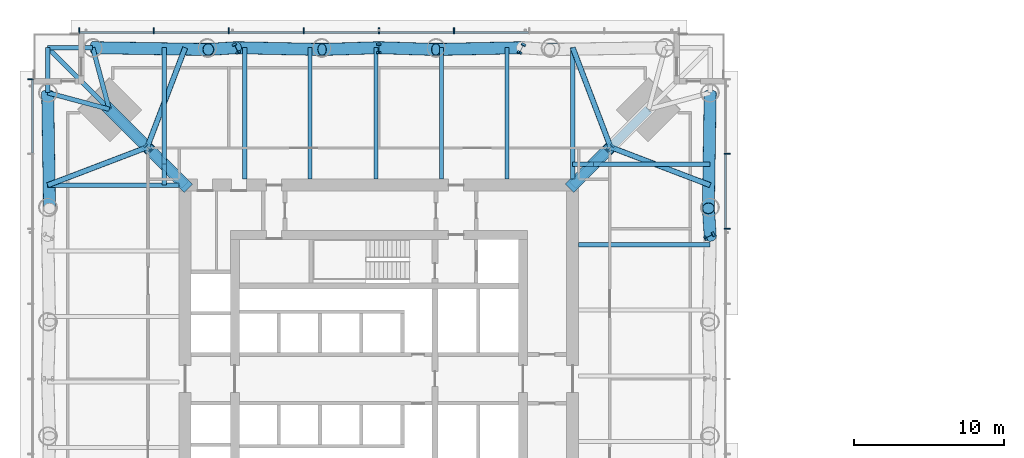
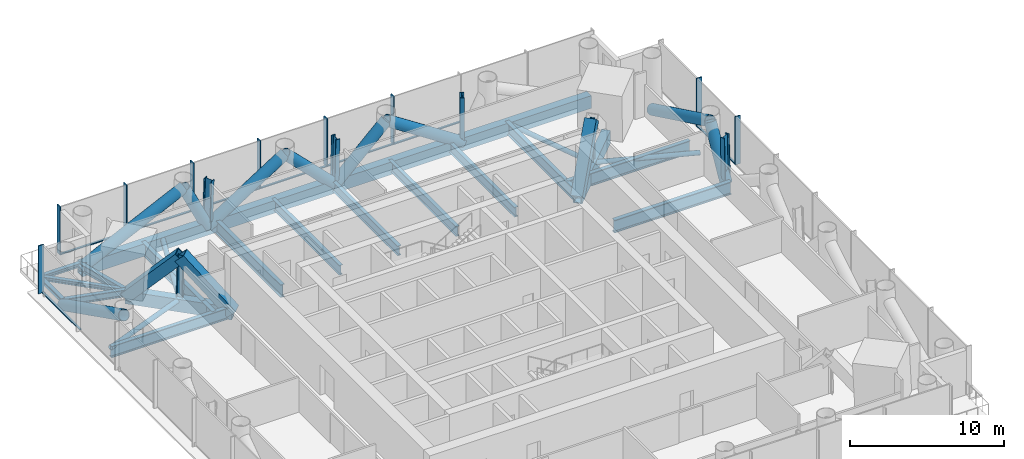
# One storey, part 4 of 28: 42 members, 17 beams, 3 elements without a shape of their own.
"""IFC4 building model written with IfcOpenShell, lengths in metres."""

from ifc_helpers import new_model, si_unit, direction, frame, origin, origin_2d, place, context, subcontext, project, spatial, rectangle, hollow_rectangle, hollow_circle, i_section, extrude, material, material_profile, profile_set, type_object, element, aggregate, save


model = new_model("IFC4")

# Units and contexts
model_context = context("Model", 3, precision=1e-05, world=origin(), true_north=direction((0.0, 1.0)))
body_context = subcontext(model_context, "Body", "Model", "MODEL_VIEW")
ifc_project = project(units=[si_unit("LENGTHUNIT", "METRE"), si_unit("AREAUNIT", "SQUARE_METRE"), si_unit("VOLUMEUNIT", "CUBIC_METRE"), si_unit("PLANEANGLEUNIT", "RADIAN"), si_unit("MASSUNIT", "GRAM", prefix="KILO")], contexts=[model_context])

# Site, building, storey
site_placement = place(None, origin())
site = spatial("IfcSite", under=ifc_project, at=site_placement, CompositionType="ELEMENT")
building_placement = place(site_placement, origin())
building = spatial("IfcBuilding", under=site, at=building_placement, Name="Ostroluk Exchange", CompositionType="ELEMENT")
storey_placement = place(building_placement, frame((0.0, 0.0, 81.800048828125)))
storey = spatial("IfcBuildingStorey", under=building, at=storey_placement, Name="L20", CompositionType="ELEMENT", Elevation=81.800048828125)

# Beams
ifc_material_1 = material(Name="Steel S355", Category="steel")
ifc_material_profile_1 = material_profile(ifc_material_1, i_section(OverallWidth=0.300048828125, OverallDepth=0.300048828125, WebThickness=0.010986328125, FlangeThickness=0.01904296875, FilletRadius=0.027099609375, at=origin_2d()), Name="HEB 300")
ifc_profile_set_1 = profile_set([ifc_material_profile_1], Name="Steel S355")
beam_type_1 = type_object("IfcBeamType", Name="Balcony beam HEB 300", PredefinedType="BEAM", material=ifc_profile_set_1)
for number, where, z_axis, x_axis, name in (
    (1, (25.94287109375, 68.05712890625, -0.429931640625), (-1.0, 0.0, 0.0), (0.0, -1.0, 0.0), "T1 north balcony beam a"),
    (2, (22.94287109375, 65.05712890625, -0.429931640625), (0.0, 1.0, 0.0), (-1.0, 0.0, 0.0), "T1 north balcony beam b"),
):
    element("IfcBeam", number, at=place(storey_placement, frame(where, z_axis=z_axis, x_axis=x_axis)), inside=storey, type_object=beam_type_1, Name=name, PredefinedType="BEAM", context=body_context, shape_type="SweptSolid", body=[
        extrude(i_section(OverallWidth=0.300048828125, OverallDepth=0.300048828125, WebThickness=0.010986328125, FlangeThickness=0.01904296875, FilletRadius=0.027099609375, at=origin_2d()), origin(), (0.0, 0.0, 1.0), 3.0),
    ])
beam_1_placement = place(storey_placement, frame((27.04296875, 63.95703125, -0.429931640625), z_axis=(-0.707106781187, 0.707106781187, 0.0), x_axis=(-0.707106781187, -0.707106781187, 0.0)))
element("IfcBeam", 3, at=beam_1_placement, inside=storey, type_object=beam_type_1, Name="T1 north balcony beam c", PredefinedType="BEAM", context=body_context, shape_type="SweptSolid", body=[
    extrude(i_section(OverallWidth=0.300048828125, OverallDepth=0.300048828125, WebThickness=0.010986328125, FlangeThickness=0.01904296875, FilletRadius=0.027099609375, at=origin_2d()), origin(), (0.0, 0.0, 1.0), 5.79833984375),
])

# Members
ifc_material_2 = material(Name="Steel S460", Category="steel")
ifc_material_profile_2 = material_profile(ifc_material_2, hollow_rectangle(XDim=0.60009765625, YDim=1.0, WallThickness=0.06005859375, at=origin_2d()), Name="BOX 600x1000x60")
ifc_profile_set_2 = profile_set([ifc_material_profile_2], Name="Steel S460")
member_type_1 = type_object("IfcMemberType", Name="Belt truss chord BOX 600x1000x60", PredefinedType="CHORD", material=ifc_profile_set_2)
member_1_placement = place(storey_placement, frame((64.05712890625, 68.05712890625, -0.780029296875), z_axis=(-1.0, 0.0, 0.0), x_axis=(0.0, -1.0, 0.0)))
element("IfcMember", 4, at=member_1_placement, inside=storey, type_object=member_type_1, Name="Belt truss 1 north chord 1", PredefinedType="CHORD", context=body_context, shape_type="SweptSolid", body=[
    extrude(hollow_rectangle(XDim=0.60009765625, YDim=1.0, WallThickness=0.06005859375, at=origin_2d()), origin(), (0.0, 0.0, 1.0), 38.1142578125),
])
ifc_material_3 = material(Name="Steel S460", Category="steel")
ifc_material_profile_3 = material_profile(ifc_material_3, hollow_circle(Radius=0.406494140625, WallThickness=0.030029296875, at=origin_2d()), Name="CHS 813x30")
ifc_profile_set_3 = profile_set([ifc_material_profile_3], Name="Steel S460")
member_type_2 = type_object("IfcMemberType", Name="Belt truss diagonal CHS 813x30", PredefinedType="BRACE", material=ifc_profile_set_3)
member_2_placement = place(storey_placement, frame((67.05712890625, 55.528564453125, -0.780029296875), z_axis=(-0.028748440767, 0.434234496648, 0.900341007104), x_axis=(-0.997815635309, -0.066060259857, 0.0)))
element("IfcMember", 5, at=member_2_placement, inside=storey, type_object=member_type_2, Name="Belt truss 1 east diagonal 1.7", PredefinedType="BRACE", context=body_context, shape_type="SweptSolid", body=[
    extrude(hollow_circle(Radius=0.406494140625, WallThickness=0.030029296875, at=origin_2d()), origin(), (0.0, 0.0, 1.0), 4.220703125),
])
member_3_placement = place(storey_placement, frame((67.05712890625, 65.05712890625, -0.780029296875), z_axis=(-0.014135797811, -0.896556576647, 0.442703607497), x_axis=(0.999875727713, -0.015764806696, 0.0)))
element("IfcMember", 6, at=member_3_placement, inside=storey, type_object=member_type_2, Name="Belt truss 1 east diagonal 1.8", PredefinedType="BRACE", context=body_context, shape_type="SweptSolid", body=[
    extrude(hollow_circle(Radius=0.406494140625, WallThickness=0.030029296875, at=origin_2d()), origin(), (0.0, 0.0, 1.0), 8.583740234375),
])
member_4_placement = place(storey_placement, frame((54.528564453125, 68.05712890625, -0.780029296875), z_axis=(-0.833765541163, -0.017620507461, 0.551837421789), x_axis=(0.021128930108, -0.999776759238, 0.0)))
element("IfcMember", 7, at=member_4_placement, inside=storey, type_object=member_type_2, Name="Belt truss 1 north diagonal 1.3", PredefinedType="BRACE", context=body_context, shape_type="SweptSolid", body=[
    extrude(hollow_circle(Radius=0.406494140625, WallThickness=0.030029296875, at=origin_2d()), origin(), (0.0, 0.0, 1.0), 6.88623046875),
])
for number, where, z_axis, x_axis, name in (
    (8, (45.0, 68.05712890625, -0.780029296875), (0.705719353494, -0.022611044268, 0.708130591615), (0.03202327877, 0.999487123287, 0.0), "Belt truss 1 north diagonal 1.4"),
    (9, (45.0, 68.05712890625, -0.780029296875), (-0.705719353494, -0.022611044268, 0.708130591615), (0.03202327877, -0.999487123287, 0.0), "Belt truss 1 north diagonal 1.5"),
):
    element("IfcMember", number, at=place(storey_placement, frame(where, z_axis=z_axis, x_axis=x_axis)), inside=storey, type_object=member_type_2, Name=name, PredefinedType="BRACE", context=body_context, shape_type="SweptSolid", body=[
        extrude(hollow_circle(Radius=0.406494140625, WallThickness=0.030029296875, at=origin_2d()), origin(), (0.0, 0.0, 1.0), 5.3662109375),
    ])
member_5_placement = place(storey_placement, frame((35.471435546875, 68.05712890625, -0.780029296875), z_axis=(0.833765541163, -0.017620507461, 0.551837421789), x_axis=(0.021128930108, 0.999776759238, 0.0)))
element("IfcMember", 10, at=member_5_placement, inside=storey, type_object=member_type_2, Name="Belt truss 1 north diagonal 1.6", PredefinedType="BRACE", context=body_context, shape_type="SweptSolid", body=[
    extrude(hollow_circle(Radius=0.406494140625, WallThickness=0.030029296875, at=origin_2d()), origin(), (0.0, 0.0, 1.0), 6.88623046875),
])
member_6_placement = place(storey_placement, frame((35.471435546875, 68.05712890625, -0.780029296875), z_axis=(-0.434234496648, -0.028748440767, 0.900341007104), x_axis=(0.066060259857, -0.997815635309, 0.0)))
element("IfcMember", 11, at=member_6_placement, inside=storey, type_object=member_type_2, Name="Belt truss 1 north diagonal 1.7", PredefinedType="BRACE", context=body_context, shape_type="SweptSolid", body=[
    extrude(hollow_circle(Radius=0.406494140625, WallThickness=0.030029296875, at=origin_2d()), origin(), (0.0, 0.0, 1.0), 4.220703125),
])
for number, where, z_axis, x_axis, name in (
    (12, (25.94287109375, 68.05712890625, -0.780029296875), (0.896556576647, -0.014135797811, 0.442703607497), (0.015764806696, 0.999875727713, 0.0), "Belt truss 1 north diagonal 1.8"),
    (13, (22.94287109375, 65.05712890625, -0.780029296875), (0.014135797811, -0.896556576647, 0.442703607497), (0.999875727713, 0.015764806696, 0.0), "Belt truss 1 west diagonal 1.1"),
):
    element("IfcMember", number, at=place(storey_placement, frame(where, z_axis=z_axis, x_axis=x_axis)), inside=storey, type_object=member_type_2, Name=name, PredefinedType="BRACE", context=body_context, shape_type="SweptSolid", body=[
        extrude(hollow_circle(Radius=0.406494140625, WallThickness=0.030029296875, at=origin_2d()), origin(), (0.0, 0.0, 1.0), 8.583740234375),
    ])
ifc_material_4 = material(Name="Steel S460", Category="steel")
ifc_material_profile_4 = material_profile(ifc_material_4, i_section(OverallWidth=0.304931640625, OverallDepth=0.6201171875, WebThickness=0.02099609375, FlangeThickness=0.0400390625, FilletRadius=0.027099609375, at=origin_2d()), Name="HEM 600")
ifc_profile_set_4 = profile_set([ifc_material_profile_4], Name="Steel S460")
member_type_3 = type_object("IfcMemberType", Name="Belt truss post HEM 600", PredefinedType="POST", material=ifc_profile_set_4)
for number, where, z_axis, x_axis, name in (
    (14, (67.05712890625, 55.528564453125, -0.780029296875), (-0.031910269556, -0.015987237665, 0.999362868496), (0.447933021895, -0.894067115991, 0.0), "Belt truss 1 east post 1.6"),
    (15, (54.528564453125, 68.05712890625, -0.780029296875), (-0.015987237665, -0.031910269556, 0.999362868496), (0.894067115991, -0.447933021895, 0.0), "Belt truss 1 north post 1.2"),
):
    element("IfcMember", number, at=place(storey_placement, frame(where, z_axis=z_axis, x_axis=x_axis)), inside=storey, type_object=member_type_3, Name=name, PredefinedType="POST", context=body_context, shape_type="SweptSolid", body=[
        extrude(i_section(OverallWidth=0.304931640625, OverallDepth=0.6201171875, WebThickness=0.02099609375, FlangeThickness=0.0400390625, FilletRadius=0.027099609375, at=origin_2d()), origin(), (0.0, 0.0, 1.0), 3.802490234375),
    ])
member_7_placement = place(storey_placement, frame((45.0, 68.05712890625, -0.780029296875), z_axis=(0.0, -0.031914348339, 0.999490607445), x_axis=(1.0, 0.0, 0.0)))
element("IfcMember", 16, at=member_7_placement, inside=storey, type_object=member_type_3, Name="Belt truss 1 north post 1.4", PredefinedType="POST", context=body_context, shape_type="SweptSolid", body=[
    extrude(i_section(OverallWidth=0.304931640625, OverallDepth=0.6201171875, WebThickness=0.02099609375, FlangeThickness=0.0400390625, FilletRadius=0.027099609375, at=origin_2d()), origin(), (0.0, 0.0, 1.0), 3.802001953125),
])
member_8_placement = place(storey_placement, frame((35.471435546875, 68.05712890625, -0.780029296875), z_axis=(0.015987237665, -0.031910269556, 0.999362868496), x_axis=(0.894067115991, 0.447933021895, 0.0)))
element("IfcMember", 17, at=member_8_placement, inside=storey, type_object=member_type_3, Name="Belt truss 1 north post 1.6", PredefinedType="POST", context=body_context, shape_type="SweptSolid", body=[
    extrude(i_section(OverallWidth=0.304931640625, OverallDepth=0.6201171875, WebThickness=0.02099609375, FlangeThickness=0.0400390625, FilletRadius=0.027099609375, at=origin_2d()), origin(), (0.0, 0.0, 1.0), 3.802490234375),
])

# Beams
ifc_material_5 = material(Name="Steel S355", Category="steel")
ifc_material_profile_5 = material_profile(ifc_material_5, i_section(OverallWidth=0.300048828125, OverallDepth=0.550048828125, WebThickness=0.014892578125, FlangeThickness=0.029052734375, FilletRadius=0.027099609375, at=origin_2d()), Name="HEB 550")
ifc_profile_set_5 = profile_set([ifc_material_profile_5], Name="Steel S355")
beam_type_2 = type_object("IfcBeamType", Name="Corner edge beam HEB 550", PredefinedType="SPANDREL", material=ifc_profile_set_5)
for number, where, z_axis, x_axis, name in (
    (18, (27.04296875, 63.95703125, -0.554931640625), (-0.259144268261, 0.965838624319, 0.0), (-0.965838624319, -0.259144268261, 0.0), "T1 north corner edge beam a"),
    (19, (27.04296875, 63.95703125, -0.554931640625), (-0.965838624319, 0.259144268261, 0.0), (-0.259144268261, -0.965838624319, 0.0), "T1 north corner edge beam b"),
):
    element("IfcBeam", number, at=place(storey_placement, frame(where, z_axis=z_axis, x_axis=x_axis)), inside=storey, type_object=beam_type_2, Name=name, PredefinedType="SPANDREL", context=body_context, shape_type="SweptSolid", body=[
        extrude(i_section(OverallWidth=0.300048828125, OverallDepth=0.550048828125, WebThickness=0.014892578125, FlangeThickness=0.029052734375, FilletRadius=0.027099609375, at=origin_2d()), origin(), (0.0, 0.0, 1.0), 4.2451171875),
    ])
ifc_material_6 = material(Name="Steel S355", Category="steel")
ifc_material_profile_6 = material_profile(ifc_material_6, i_section(OverallWidth=0.302001953125, OverallDepth=1.008056640625, WebThickness=0.02099609375, FlangeThickness=0.0400390625, FilletRadius=0.030029296875, at=origin_2d()), Name="HEM 1000")
ifc_profile_set_6 = profile_set([ifc_material_profile_6], Name="Steel S355")
beam_type_3 = type_object("IfcBeamType", Name="Floor beam HEM 1000", PredefinedType="BEAM", material=ifc_profile_set_6)
beam_2_placement = place(storey_placement, frame((58.300048828125, 54.9482421875, -0.783935546875), z_axis=(1.0, 0.0, 0.0), x_axis=(0.0, 1.0, 0.0)))
element("IfcBeam", 20, at=beam_2_placement, inside=storey, type_object=beam_type_3, Name="T1 east floor beam 5", PredefinedType="BEAM", context=body_context, shape_type="SweptSolid", body=[
    extrude(i_section(OverallWidth=0.302001953125, OverallDepth=1.008056640625, WebThickness=0.02099609375, FlangeThickness=0.0400390625, FilletRadius=0.030029296875, at=origin_2d()), origin(), (0.0, 0.0, 1.0), 8.757080078125),
])
beam_3_placement = place(storey_placement, frame((57.89990234375, 60.300048828125, -0.783935546875), z_axis=(1.0, 0.0, 0.0), x_axis=(0.0, 1.0, 0.0)))
element("IfcBeam", 21, at=beam_3_placement, inside=storey, type_object=beam_type_3, Name="T1 east floor beam 6", PredefinedType="BEAM", context=body_context, shape_type="SweptSolid", body=[
    extrude(i_section(OverallWidth=0.302001953125, OverallDepth=1.008056640625, WebThickness=0.02099609375, FlangeThickness=0.0400390625, FilletRadius=0.030029296875, at=origin_2d()), origin(), (0.0, 0.0, 1.0), 1.400146484375),
])
beam_4_placement = place(storey_placement, frame((59.300048828125, 60.300048828125, -0.783935546875), z_axis=(1.0, 0.0, 0.0), x_axis=(0.0, 1.0, 0.0)))
element("IfcBeam", 22, at=beam_4_placement, inside=storey, type_object=beam_type_3, Name="T1 east floor beam 6", PredefinedType="BEAM", context=body_context, shape_type="SweptSolid", body=[
    extrude(i_section(OverallWidth=0.302001953125, OverallDepth=1.008056640625, WebThickness=0.02099609375, FlangeThickness=0.0400390625, FilletRadius=0.030029296875, at=origin_2d()), origin(), (0.0, 0.0, 1.0), 7.757080078125),
])
beam_5_placement = place(storey_placement, frame((36.0517578125, 59.300048828125, -0.783935546875), z_axis=(0.0, 1.0, 0.0), x_axis=(-1.0, 0.0, 0.0)))
element("IfcBeam", 23, at=beam_5_placement, inside=storey, type_object=beam_type_3, Name="T1 north floor beam 5", PredefinedType="BEAM", context=body_context, shape_type="SweptSolid", body=[
    extrude(i_section(OverallWidth=0.302001953125, OverallDepth=1.008056640625, WebThickness=0.02099609375, FlangeThickness=0.0400390625, FilletRadius=0.030029296875, at=origin_2d()), origin(), (0.0, 0.0, 1.0), 8.757080078125),
])
beam_6_placement = place(storey_placement, frame((30.699951171875, 58.89990234375, -0.783935546875), z_axis=(0.0, 1.0, 0.0), x_axis=(-1.0, 0.0, 0.0)))
element("IfcBeam", 24, at=beam_6_placement, inside=storey, type_object=beam_type_3, Name="T1 north floor beam 6", PredefinedType="BEAM", context=body_context, shape_type="SweptSolid", body=[
    extrude(i_section(OverallWidth=0.302001953125, OverallDepth=1.008056640625, WebThickness=0.02099609375, FlangeThickness=0.0400390625, FilletRadius=0.030029296875, at=origin_2d()), origin(), (0.0, 0.0, 1.0), 1.400146484375),
])
beam_7_placement = place(storey_placement, frame((30.699951171875, 60.300048828125, -0.783935546875), z_axis=(0.0, 1.0, 0.0), x_axis=(-1.0, 0.0, 0.0)))
element("IfcBeam", 25, at=beam_7_placement, inside=storey, type_object=beam_type_3, Name="T1 north floor beam 6", PredefinedType="BEAM", context=body_context, shape_type="SweptSolid", body=[
    extrude(i_section(OverallWidth=0.302001953125, OverallDepth=1.008056640625, WebThickness=0.02099609375, FlangeThickness=0.0400390625, FilletRadius=0.030029296875, at=origin_2d()), origin(), (0.0, 0.0, 1.0), 7.757080078125),
])
ifc_material_7 = material(Name="Steel S355", Category="steel")
ifc_material_profile_7 = material_profile(ifc_material_7, i_section(OverallWidth=0.26806640625, OverallDepth=0.77001953125, WebThickness=0.015625, FlangeThickness=0.025390625, FilletRadius=0.01708984375, at=origin_2d()), Name="IPE 750x196")
ifc_profile_set_7 = profile_set([ifc_material_profile_7], Name="Steel S355")
beam_type_4 = type_object("IfcBeamType", Name="Floor beam IPE 750x196", PredefinedType="BEAM", material=ifc_profile_set_7)
for number, where, z_axis, x_axis, name in (
    (26, (53.5302734375, 59.300048828125, -0.6650390625), (0.0, 1.0, 0.0), (-1.0, 0.0, 0.0), "T1 north floor beam 1"),
    (27, (49.16064453125, 59.300048828125, -0.6650390625), (0.0, 1.0, 0.0), (-1.0, 0.0, 0.0), "T1 north floor beam 2"),
    (28, (44.791015625, 59.300048828125, -0.6650390625), (0.0, 1.0, 0.0), (-1.0, 0.0, 0.0), "T1 north floor beam 3"),
    (29, (40.42138671875, 59.300048828125, -0.6650390625), (0.0, 1.0, 0.0), (-1.0, 0.0, 0.0), "T1 north floor beam 4"),
):
    element("IfcBeam", number, at=place(storey_placement, frame(where, z_axis=z_axis, x_axis=x_axis)), inside=storey, type_object=beam_type_4, Name=name, PredefinedType="BEAM", context=body_context, shape_type="SweptSolid", body=[
        extrude(i_section(OverallWidth=0.26806640625, OverallDepth=0.77001953125, WebThickness=0.015625, FlangeThickness=0.025390625, FilletRadius=0.01708984375, at=origin_2d()), origin(), (0.0, 0.0, 1.0), 8.757080078125),
    ])
ifc_material_8 = material(Name="Steel S355", Category="steel")
ifc_material_profile_8 = material_profile(ifc_material_8, i_section(OverallWidth=0.300048828125, OverallDepth=0.89990234375, WebThickness=0.0185546875, FlangeThickness=0.034912109375, FilletRadius=0.030029296875, at=origin_2d()), Name="HEB 900")
ifc_profile_set_8 = profile_set([ifc_material_profile_8], Name="Steel S355")
beam_type_5 = type_object("IfcBeamType", Name="Girder HEB 900", PredefinedType="BEAM", material=ifc_profile_set_8)
for number, where, z_axis, x_axis, name in (
    (30, (57.89990234375, 59.300048828125, -0.72998046875), (0.0, 1.0, 0.0), (-1.0, 0.0, 0.0), "T1 east girder"),
    (31, (31.699951171875, 58.89990234375, -0.72998046875), (-1.0, 0.0, 0.0), (0.0, -1.0, 0.0), "T1 north girder"),
):
    element("IfcBeam", number, at=place(storey_placement, frame(where, z_axis=z_axis, x_axis=x_axis)), inside=storey, type_object=beam_type_5, Name=name, PredefinedType="BEAM", context=body_context, shape_type="SweptSolid", body=[
        extrude(i_section(OverallWidth=0.300048828125, OverallDepth=0.89990234375, WebThickness=0.0185546875, FlangeThickness=0.034912109375, FilletRadius=0.030029296875, at=origin_2d()), origin(), (0.0, 0.0, 1.0), 8.757080078125),
    ])

# Members
ifc_material_9 = material(Name="Steel S460", Category="steel")
ifc_material_profile_9 = material_profile(ifc_material_9, hollow_rectangle(XDim=0.60009765625, YDim=1.0, WallThickness=0.06005859375, at=origin_2d()), Name="BOX 600x1000x60")
ifc_profile_set_9 = profile_set([ifc_material_profile_9], Name="Steel S460")
member_type_4 = type_object("IfcMemberType", Name="Outrigger chord BOX 600x1000x60", PredefinedType="CHORD", material=ifc_profile_set_9)
for number, where, z_axis, x_axis, name in (
    (32, (57.89990234375, 58.89990234375, -0.780029296875), (0.707106781187, 0.707106781187, 0.0), (-0.707106781187, 0.707106781187, 0.0), "Outrigger 1 NE chord 1"),
    (33, (32.10009765625, 58.89990234375, -0.780029296875), (-0.707106781187, 0.707106781187, 0.0), (-0.707106781187, -0.707106781187, 0.0), "Outrigger 1 NW chord 1"),
):
    element("IfcMember", number, at=place(storey_placement, frame(where, z_axis=z_axis, x_axis=x_axis)), inside=storey, type_object=member_type_4, Name=name, PredefinedType="CHORD", context=body_context, shape_type="SweptSolid", body=[
        extrude(hollow_rectangle(XDim=0.60009765625, YDim=1.0, WallThickness=0.06005859375, at=origin_2d()), origin(), (0.0, 0.0, 1.0), 7.15185546875),
    ])
ifc_material_10 = material(Name="Steel S460", Category="steel")
ifc_material_profile_10 = material_profile(ifc_material_10, hollow_rectangle(XDim=0.800048828125, YDim=0.800048828125, WallThickness=0.050048828125, at=origin_2d()), Name="BOX 800x800x50")
ifc_profile_set_10 = profile_set([ifc_material_profile_10], Name="Steel S460")
member_type_5 = type_object("IfcMemberType", Name="Outrigger diagonal BOX 800x800x50", PredefinedType="BRACE", material=ifc_profile_set_10)
for number, where, z_axis, x_axis, name in (
    (34, (57.89990234375, 58.89990234375, -0.780029296875), (0.478324994518, 0.478324994518, 0.736485165661), (-0.707106781187, 0.707106781187, 0.0), "Outrigger 1 NE diagonal 1a"),
    (35, (32.10009765625, 58.89990234375, -0.780029296875), (-0.478324994518, 0.478324994518, 0.736485165661), (-0.707106781187, -0.707106781187, 0.0), "Outrigger 1 NW diagonal 1a"),
):
    element("IfcMember", number, at=place(storey_placement, frame(where, z_axis=z_axis, x_axis=x_axis)), inside=storey, type_object=member_type_5, Name=name, PredefinedType="BRACE", context=body_context, shape_type="SweptSolid", body=[
        extrude(hollow_rectangle(XDim=0.800048828125, YDim=0.800048828125, WallThickness=0.050048828125, at=origin_2d()), origin(), (0.0, 0.0, 1.0), 5.15966796875),
    ])
member_9_placement = place(storey_placement, frame((29.632080078125, 61.367919921875, 3.02001953125), z_axis=(-0.490635155157, 0.490635155157, -0.720107137201), x_axis=(-0.707106781187, -0.707106781187, 0.0)))
element("IfcMember", 36, at=member_9_placement, inside=storey, type_object=member_type_5, Name="Outrigger 1 NW diagonal 1b", PredefinedType="BRACE", context=body_context, shape_type="SweptSolid", body=[
    extrude(hollow_rectangle(XDim=0.800048828125, YDim=0.800048828125, WallThickness=0.050048828125, at=origin_2d()), origin(), (0.0, 0.0, 1.0), 5.277099609375),
])
ifc_material_11 = material(Name="Steel S460", Category="steel")
ifc_material_profile_11 = material_profile(ifc_material_11, i_section(OverallWidth=0.306884765625, OverallDepth=0.431884765625, WebThickness=0.02099609375, FlangeThickness=0.0400390625, FilletRadius=0.027099609375, at=origin_2d()), Name="HEM 400")
ifc_profile_set_11 = profile_set([ifc_material_profile_11], Name="Steel S460")
member_type_6 = type_object("IfcMemberType", Name="Outrigger post HEM 400", PredefinedType="POST", material=ifc_profile_set_11)
for number, where, z_axis, x_axis, name in (
    (37, (60.428466796875, 61.428466796875, -0.780029296875), (-0.015929140065, -0.015929140065, 0.999746230297), (0.707106781187, -0.707106781187, 0.0), "Outrigger 1 NE post 1"),
    (38, (29.571533203125, 61.428466796875, -0.780029296875), (0.015929140065, -0.015929140065, 0.999746230297), (0.707106781187, 0.707106781187, 0.0), "Outrigger 1 NW post 1"),
):
    element("IfcMember", number, at=place(storey_placement, frame(where, z_axis=z_axis, x_axis=x_axis)), inside=storey, type_object=member_type_6, Name=name, PredefinedType="POST", context=body_context, shape_type="SweptSolid", body=[
        extrude(i_section(OverallWidth=0.306884765625, OverallDepth=0.431884765625, WebThickness=0.02099609375, FlangeThickness=0.0400390625, FilletRadius=0.027099609375, at=origin_2d()), origin(), (0.0, 0.0, 1.0), 3.801025390625),
    ])
ifc_material_12 = material(Name="Steel S460", Category="steel")
ifc_material_profile_12 = material_profile(ifc_material_12, hollow_circle(Radius=0.177734375, WallThickness=0.012451171875, at=origin_2d()), Name="CHS 355.6x12.5")
ifc_profile_set_12 = profile_set([ifc_material_profile_12], Name="Steel S460")
member_type_7 = type_object("IfcMemberType", Name="Plan bracing CHS 355.6x12.5", PredefinedType="BRACE", material=ifc_profile_set_12)
for number, where, z_axis, x_axis, name in (
    (39, (60.428466796875, 61.428466796875, -0.457763671875), (0.934330096119, -0.356408854389, 0.0), (0.356408854389, 0.934330096119, 0.0), "Plan bracing L20 NE a"),
    (40, (60.428466796875, 61.428466796875, -0.457763671875), (-0.356408854389, 0.934330096119, 0.0), (-0.934330096119, -0.356408854389, 0.0), "Plan bracing L20 NE b"),
    (41, (29.571533203125, 61.428466796875, -0.457763671875), (0.356408854389, 0.934330096119, 0.0), (-0.934330096119, 0.356408854389, 0.0), "Plan bracing L20 NW a"),
    (42, (29.571533203125, 61.428466796875, -0.457763671875), (-0.934330096119, -0.356408854389, 0.0), (0.356408854389, -0.934330096119, 0.0), "Plan bracing L20 NW b"),
):
    element("IfcMember", number, at=place(storey_placement, frame(where, z_axis=z_axis, x_axis=x_axis)), inside=storey, type_object=member_type_7, Name=name, PredefinedType="BRACE", context=body_context, shape_type="SweptSolid", body=[
        extrude(hollow_circle(Radius=0.177734375, WallThickness=0.012451171875, at=origin_2d()), origin(), (0.0, 0.0, 1.0), 7.094482421875),
    ])

# Curtain wall, member
ifc_material_13 = material(Name="Laminated clear glass", Category="glass")
curtain_wall_type = type_object("IfcCurtainWallType", Name="Office tower plant and sky lobby facade", PredefinedType="USERDEFINED", material=ifc_material_13)
curtain_wall_1_placement = place(storey_placement, origin())
curtain_wall_1 = element("IfcCurtainWall", 43, at=curtain_wall_1_placement, inside=storey, type_object=curtain_wall_type, Name="Office tower east facade L20", ObjectType="LOUVRED CURTAIN WALL", PredefinedType="USERDEFINED")
ifc_material_14 = material(Name="Aluminium mullion", Category="aluminium")
ifc_material_profile_13 = material_profile(ifc_material_14, rectangle(XDim=0.14990234375, YDim=0.080078125, at=origin_2d()), Name="Sill transom 80 x 150")
ifc_profile_set_13 = profile_set([ifc_material_profile_13], Name="Aluminium mullion")
member_type_8 = type_object("IfcMemberType", Name="Sill transom 80 x 150", PredefinedType="USERDEFINED", material=ifc_profile_set_13)
member_10_placement = place(storey_placement, frame((68.074951171875, 56.0400390625, 0.0400390625), z_axis=(0.0, 1.0, 0.0), x_axis=(-1.0, 0.0, 0.0)))
member_10 = element("IfcMember", 44, at=member_10_placement, type_object=member_type_8, Name="CW-P1 transom 7.1", ObjectType="TRANSOM", PredefinedType="USERDEFINED", context=body_context, shape_type="SweptSolid", body=[
    extrude(rectangle(XDim=0.14990234375, YDim=0.080078125, at=origin_2d()), origin(), (0.0, 0.0, 1.0), 4.919921875),
])

# Curtain wall, members
curtain_wall_2_placement = place(storey_placement, origin())
curtain_wall_2 = element("IfcCurtainWall", 45, at=curtain_wall_2_placement, inside=storey, type_object=curtain_wall_type, Name="Office tower north facade L20", ObjectType="LOUVRED CURTAIN WALL", PredefinedType="USERDEFINED")
member_11_placement = place(storey_placement, frame((54.9599609375, 69.074951171875, 0.0400390625), z_axis=(-1.0, 0.0, 0.0), x_axis=(0.0, -1.0, 0.0)))
member_11 = element("IfcMember", 46, at=member_11_placement, type_object=member_type_8, Name="CW-P1 transom 3.1", ObjectType="TRANSOM", PredefinedType="USERDEFINED", context=body_context, shape_type="SweptSolid", body=[
    extrude(rectangle(XDim=0.14990234375, YDim=0.080078125, at=origin_2d()), origin(), (0.0, 0.0, 1.0), 4.919921875),
])
member_12_placement = place(storey_placement, frame((49.9599609375, 69.074951171875, 0.0400390625), z_axis=(-1.0, 0.0, 0.0), x_axis=(0.0, -1.0, 0.0)))
member_12 = element("IfcMember", 47, at=member_12_placement, type_object=member_type_8, Name="CW-P1 transom 4.1", ObjectType="TRANSOM", PredefinedType="USERDEFINED", context=body_context, shape_type="SweptSolid", body=[
    extrude(rectangle(XDim=0.14990234375, YDim=0.080078125, at=origin_2d()), origin(), (0.0, 0.0, 1.0), 4.919921875),
])
member_13_placement = place(storey_placement, frame((44.9599609375, 69.074951171875, 0.0400390625), z_axis=(-1.0, 0.0, 0.0), x_axis=(0.0, -1.0, 0.0)))
member_13 = element("IfcMember", 48, at=member_13_placement, type_object=member_type_8, Name="CW-P1 transom 5.1", ObjectType="TRANSOM", PredefinedType="USERDEFINED", context=body_context, shape_type="SweptSolid", body=[
    extrude(rectangle(XDim=0.14990234375, YDim=0.080078125, at=origin_2d()), origin(), (0.0, 0.0, 1.0), 4.919921875),
])
member_14_placement = place(storey_placement, frame((39.9599609375, 69.074951171875, 0.0400390625), z_axis=(-1.0, 0.0, 0.0), x_axis=(0.0, -1.0, 0.0)))
member_14 = element("IfcMember", 49, at=member_14_placement, type_object=member_type_8, Name="CW-P1 transom 6.1", ObjectType="TRANSOM", PredefinedType="USERDEFINED", context=body_context, shape_type="SweptSolid", body=[
    extrude(rectangle(XDim=0.14990234375, YDim=0.080078125, at=origin_2d()), origin(), (0.0, 0.0, 1.0), 4.919921875),
])
member_15_placement = place(storey_placement, frame((34.9599609375, 69.074951171875, 0.0400390625), z_axis=(-1.0, 0.0, 0.0), x_axis=(0.0, -1.0, 0.0)))
member_15 = element("IfcMember", 50, at=member_15_placement, type_object=member_type_8, Name="CW-P1 transom 7.1", ObjectType="TRANSOM", PredefinedType="USERDEFINED", context=body_context, shape_type="SweptSolid", body=[
    extrude(rectangle(XDim=0.14990234375, YDim=0.080078125, at=origin_2d()), origin(), (0.0, 0.0, 1.0), 4.919921875),
])
member_16_placement = place(storey_placement, frame((29.9599609375, 69.074951171875, 0.0400390625), z_axis=(-1.0, 0.0, 0.0), x_axis=(0.0, -1.0, 0.0)))
member_16 = element("IfcMember", 51, at=member_16_placement, type_object=member_type_8, Name="CW-P1 transom 8.1", ObjectType="TRANSOM", PredefinedType="USERDEFINED", context=body_context, shape_type="SweptSolid", body=[
    extrude(rectangle(XDim=0.14990234375, YDim=0.080078125, at=origin_2d()), origin(), (0.0, 0.0, 1.0), 4.8798828125),
])

# Curtain wall, member
curtain_wall_3_placement = place(storey_placement, origin())
curtain_wall_3 = element("IfcCurtainWall", 52, at=curtain_wall_3_placement, inside=storey, type_object=curtain_wall_type, Name="Office tower west facade L20", ObjectType="LOUVRED CURTAIN WALL", PredefinedType="USERDEFINED")
member_17_placement = place(storey_placement, frame((21.925048828125, 65.919921875, 0.0400390625), z_axis=(0.0, -1.0, 0.0), x_axis=(1.0, 0.0, 0.0)))
member_17 = element("IfcMember", 53, at=member_17_placement, type_object=member_type_8, Name="CW-P1 transom 1.1", ObjectType="TRANSOM", PredefinedType="USERDEFINED", context=body_context, shape_type="SweptSolid", body=[
    extrude(rectangle(XDim=0.14990234375, YDim=0.080078125, at=origin_2d()), origin(), (0.0, 0.0, 1.0), 4.8798828125),
])

# Member
ifc_material_15 = material(Name="Aluminium mullion with limestone facing", Category="masonry")
ifc_material_profile_14 = material_profile(ifc_material_15, rectangle(XDim=0.39990234375, YDim=0.080078125, at=origin_2d()), Name="Tracery mullion 80 x 400")
ifc_profile_set_14 = profile_set([ifc_material_profile_14], Name="Aluminium mullion with limestone facing")
member_type_9 = type_object("IfcMemberType", Name="Tracery mullion 80 x 400", PredefinedType="MULLION", material=ifc_profile_set_14)
member_18_placement = place(storey_placement, frame((68.199951171875, 56.0, 0.0), z_axis=(0.0, 0.0, 1.0), x_axis=(-1.0, 0.0, 0.0)))
member_18 = element("IfcMember", 54, at=member_18_placement, type_object=member_type_9, Name="CW-P1 mullion 7", PredefinedType="MULLION", context=body_context, shape_type="SweptSolid", body=[
    extrude(rectangle(XDim=0.39990234375, YDim=0.080078125, at=origin_2d()), origin(), (0.0, 0.0, 1.0), 3.800048828125),
])

member_19_placement = place(storey_placement, frame((68.199951171875, 61.0, 0.0), z_axis=(0.0, 0.0, 1.0), x_axis=(-1.0, 0.0, 0.0)))
member_19 = element("IfcMember", 55, at=member_19_placement, type_object=member_type_9, Name="CW-P1 mullion 8", PredefinedType="MULLION", context=body_context, shape_type="SweptSolid", body=[
    extrude(rectangle(XDim=0.39990234375, YDim=0.080078125, at=origin_2d()), origin(), (0.0, 0.0, 1.0), 3.800048828125),
])

aggregate(curtain_wall_1, [member_18, member_19, member_10])

member_20_placement = place(storey_placement, frame((50.0, 69.199951171875, 0.0), z_axis=(0.0, 0.0, 1.0), x_axis=(0.0, -1.0, 0.0)))
member_20 = element("IfcMember", 56, at=member_20_placement, type_object=member_type_9, Name="CW-P1 mullion 4", PredefinedType="MULLION", context=body_context, shape_type="SweptSolid", body=[
    extrude(rectangle(XDim=0.39990234375, YDim=0.080078125, at=origin_2d()), origin(), (0.0, 0.0, 1.0), 3.800048828125),
])

member_21_placement = place(storey_placement, frame((45.0, 69.199951171875, 0.0), z_axis=(0.0, 0.0, 1.0), x_axis=(0.0, -1.0, 0.0)))
member_21 = element("IfcMember", 57, at=member_21_placement, type_object=member_type_9, Name="CW-P1 mullion 5", PredefinedType="MULLION", context=body_context, shape_type="SweptSolid", body=[
    extrude(rectangle(XDim=0.39990234375, YDim=0.080078125, at=origin_2d()), origin(), (0.0, 0.0, 1.0), 3.800048828125),
])

member_22_placement = place(storey_placement, frame((40.0, 69.199951171875, 0.0), z_axis=(0.0, 0.0, 1.0), x_axis=(0.0, -1.0, 0.0)))
member_22 = element("IfcMember", 58, at=member_22_placement, type_object=member_type_9, Name="CW-P1 mullion 6", PredefinedType="MULLION", context=body_context, shape_type="SweptSolid", body=[
    extrude(rectangle(XDim=0.39990234375, YDim=0.080078125, at=origin_2d()), origin(), (0.0, 0.0, 1.0), 3.800048828125),
])

member_23_placement = place(storey_placement, frame((35.0, 69.199951171875, 0.0), z_axis=(0.0, 0.0, 1.0), x_axis=(0.0, -1.0, 0.0)))
member_23 = element("IfcMember", 59, at=member_23_placement, type_object=member_type_9, Name="CW-P1 mullion 7", PredefinedType="MULLION", context=body_context, shape_type="SweptSolid", body=[
    extrude(rectangle(XDim=0.39990234375, YDim=0.080078125, at=origin_2d()), origin(), (0.0, 0.0, 1.0), 3.800048828125),
])

member_24_placement = place(storey_placement, frame((30.0, 69.199951171875, 0.0), z_axis=(0.0, 0.0, 1.0), x_axis=(0.0, -1.0, 0.0)))
member_24 = element("IfcMember", 60, at=member_24_placement, type_object=member_type_9, Name="CW-P1 mullion 8", PredefinedType="MULLION", context=body_context, shape_type="SweptSolid", body=[
    extrude(rectangle(XDim=0.39990234375, YDim=0.080078125, at=origin_2d()), origin(), (0.0, 0.0, 1.0), 3.800048828125),
])

member_25_placement = place(storey_placement, frame((25.0400390625, 69.199951171875, 0.0), z_axis=(0.0, 0.0, 1.0), x_axis=(0.0, -1.0, 0.0)))
member_25 = element("IfcMember", 61, at=member_25_placement, type_object=member_type_9, Name="CW-P1 mullion 9", PredefinedType="MULLION", context=body_context, shape_type="SweptSolid", body=[
    extrude(rectangle(XDim=0.39990234375, YDim=0.080078125, at=origin_2d()), origin(), (0.0, 0.0, 1.0), 3.800048828125),
])

aggregate(curtain_wall_2, [member_20, member_21, member_22, member_23, member_24, member_25, member_11, member_12, member_13, member_14, member_15, member_16])

member_26_placement = place(storey_placement, frame((21.800048828125, 65.9599609375, 0.0), z_axis=(0.0, 0.0, 1.0), x_axis=(1.0, 0.0, 0.0)))
member_26 = element("IfcMember", 62, at=member_26_placement, type_object=member_type_9, Name="CW-P1 mullion 1", PredefinedType="MULLION", context=body_context, shape_type="SweptSolid", body=[
    extrude(rectangle(XDim=0.39990234375, YDim=0.080078125, at=origin_2d()), origin(), (0.0, 0.0, 1.0), 3.800048828125),
])

aggregate(curtain_wall_3, [member_26, member_17])

save(model, "model.ifc")
